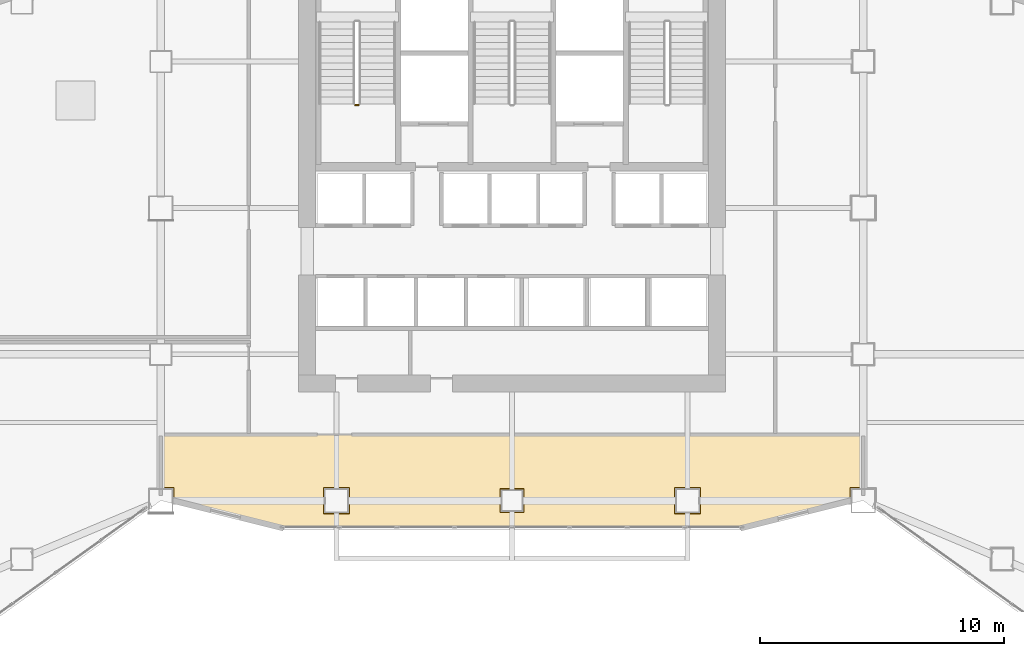
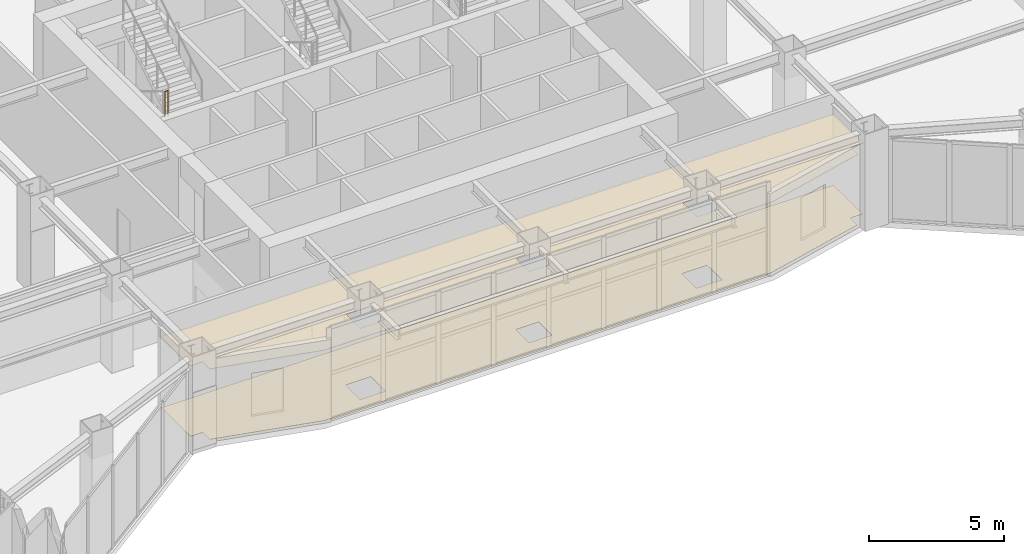
# One storey, part 14 of 19: 2 coverings, 1 railing.
"""IFC4 building model written with IfcOpenShell, lengths in metres."""

from ifc_helpers import new_model, si_unit, direction, frame, origin, origin_2d, place, context, subcontext, project, spatial, polyline, circle, outline, extrude, material, layer, layer_set, type_object, element, save


model = new_model("IFC4")

# Units and contexts
model_context = context("Model", 3, precision=1e-05, world=origin(), true_north=direction((0.0, 1.0)))
body_context = subcontext(model_context, "Body", "Model", "MODEL_VIEW")
ifc_project = project(units=[si_unit("LENGTHUNIT", "METRE"), si_unit("AREAUNIT", "SQUARE_METRE"), si_unit("VOLUMEUNIT", "CUBIC_METRE"), si_unit("PLANEANGLEUNIT", "RADIAN"), si_unit("MASSUNIT", "GRAM", prefix="KILO")], contexts=[model_context])

# Site, building, storey
site_placement = place(None, origin())
site = spatial("IfcSite", under=ifc_project, at=site_placement, CompositionType="ELEMENT")
building_placement = place(site_placement, origin())
building = spatial("IfcBuilding", under=site, at=building_placement, Name="Haolan Belvedere Tower", CompositionType="ELEMENT")
storey_placement = place(building_placement, frame((0.0, 0.0, 94.0)))
storey = spatial("IfcBuildingStorey", under=building, at=storey_placement, Name="L23", CompositionType="ELEMENT", Elevation=94.0)

# Coverings
ifc_material_1 = material(Name="Acoustic mineral-fibre suspended ceiling system", Category="masonry")
ifc_layer_1 = layer(ifc_material_1, 0.02490234375, Name="Acoustic mineral-fibre suspended ceiling system")
ifc_layer_set_1 = layer_set([ifc_layer_1], Name="Acoustic mineral-fibre suspended ceiling system")
covering_type_1 = type_object("IfcCoveringType", Name="COV-CEIL-AC25", PredefinedType="CEILING", material=ifc_layer_set_1)
covering_1_placement = place(storey_placement, frame((0.0, 0.0, 3.199951171875)))
element("IfcCovering", 1, at=covering_1_placement, inside=storey, type_object=covering_type_1, Name="L23 suspended acoustic ceiling L23-SKYL.1", PredefinedType="CEILING", context=body_context, shape_type="SweptSolid", body=[
    extrude(outline(polyline([(47.985595703125, 20.51806640625), (52.284912109375, 21.593017578125), (52.284912109375, 22.114990234375), (52.81201171875, 22.114990234375), (52.81201171875, 24.31201171875), (23.988037109375, 24.31201171875), (23.988037109375, 22.114990234375), (24.514892578125, 22.114990234375), (24.514892578125, 21.593017578125), (28.814453125, 20.51806640625), (47.985595703125, 20.51806640625)]), holes=[polyline([(45.0849609375, 21.0849609375), (45.0849609375, 22.114990234375), (46.114990234375, 22.114990234375), (46.114990234375, 21.0849609375), (45.0849609375, 21.0849609375)]), polyline([(37.93505859375, 21.135009765625), (37.93505859375, 22.06494140625), (38.864990234375, 22.06494140625), (38.864990234375, 21.135009765625), (37.93505859375, 21.135009765625)]), polyline([(30.68505859375, 21.0849609375), (30.68505859375, 22.114990234375), (31.715087890625, 22.114990234375), (31.715087890625, 21.0849609375), (30.68505859375, 21.0849609375)])]), origin(), (0.0, 0.0, 1.0), 0.025146484375),
])
ifc_material_2 = material(Name="Honed terrazzo and natural granite stone flooring", Category="masonry")
ifc_layer_2 = layer(ifc_material_2, 0.014892578125, Name="Honed terrazzo and natural granite stone flooring")
ifc_layer_set_2 = layer_set([ifc_layer_2], Name="Honed terrazzo and natural granite stone flooring")
covering_type_2 = type_object("IfcCoveringType", Name="COV-FLR-STN30", PredefinedType="FLOORING", material=ifc_layer_set_2)
covering_2_placement = place(storey_placement, origin())
element("IfcCovering", 2, at=covering_2_placement, inside=storey, type_object=covering_type_2, Name="L23 polished stone floor finish L23-SKYL.1", PredefinedType="FLOORING", context=body_context, shape_type="SweptSolid", body=[
    extrude(outline(polyline([(52.260009765625, 21.6123046875), (52.260009765625, 22.139892578125), (52.787109375, 22.139892578125), (52.787109375, 24.287109375), (24.012939453125, 24.287109375), (24.012939453125, 22.139892578125), (24.5400390625, 22.139892578125), (24.5400390625, 21.6123046875), (28.817626953125, 20.54296875), (47.982421875, 20.54296875), (52.260009765625, 21.6123046875)]), holes=[polyline([(45.06005859375, 22.139892578125), (46.139892578125, 22.139892578125), (46.139892578125, 21.06005859375), (45.06005859375, 21.06005859375), (45.06005859375, 22.139892578125)]), polyline([(37.909912109375, 22.090087890625), (38.889892578125, 22.090087890625), (38.889892578125, 21.110107421875), (37.909912109375, 21.110107421875), (37.909912109375, 22.090087890625)]), polyline([(30.659912109375, 22.139892578125), (31.739990234375, 22.139892578125), (31.739990234375, 21.06005859375), (30.659912109375, 21.06005859375), (30.659912109375, 22.139892578125)])]), origin(), (0.0, 0.0, 1.0), 0.014892578125),
])

# Railing
ifc_material_3 = material(Name="Brushed stainless steel 304", Category="steel")
railing_type = type_object("IfcRailingType", Name="RL-STAIR-GRD-1150", PredefinedType="GUARDRAIL", material=ifc_material_3)
railing_placement = place(storey_placement, frame((31.969970703125, 37.820068359375, 2.199951171875)))
element("IfcRailing", 3, at=railing_placement, inside=storey, type_object=railing_type, Name="L23 ST1 stair guard 2", PredefinedType="GUARDRAIL", context=body_context, shape_type="SweptSolid", body=[
    extrude(circle(Radius=0.02392578125, at=origin_2d()), frame((0.0, 0.0, 1.1259765625), z_axis=(1.0, 0.0, 0.0), x_axis=(0.0, 1.0, 0.0)), (0.0, 0.0, 1.0), 0.14013671875),
    extrude(circle(Radius=0.02099609375, at=origin_2d()), origin(), (0.0, 0.0, 1.0), 1.101806640625),
    extrude(circle(Radius=0.02099609375, at=origin_2d()), frame((0.14013671875, 0.0, 0.0)), (0.0, 0.0, 1.0), 1.101806640625),
])

save(model, "model.ifc")
